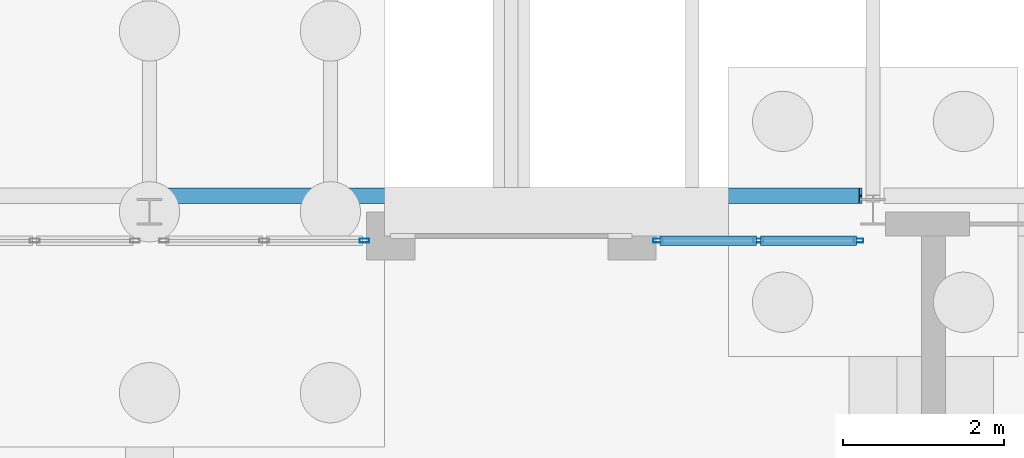
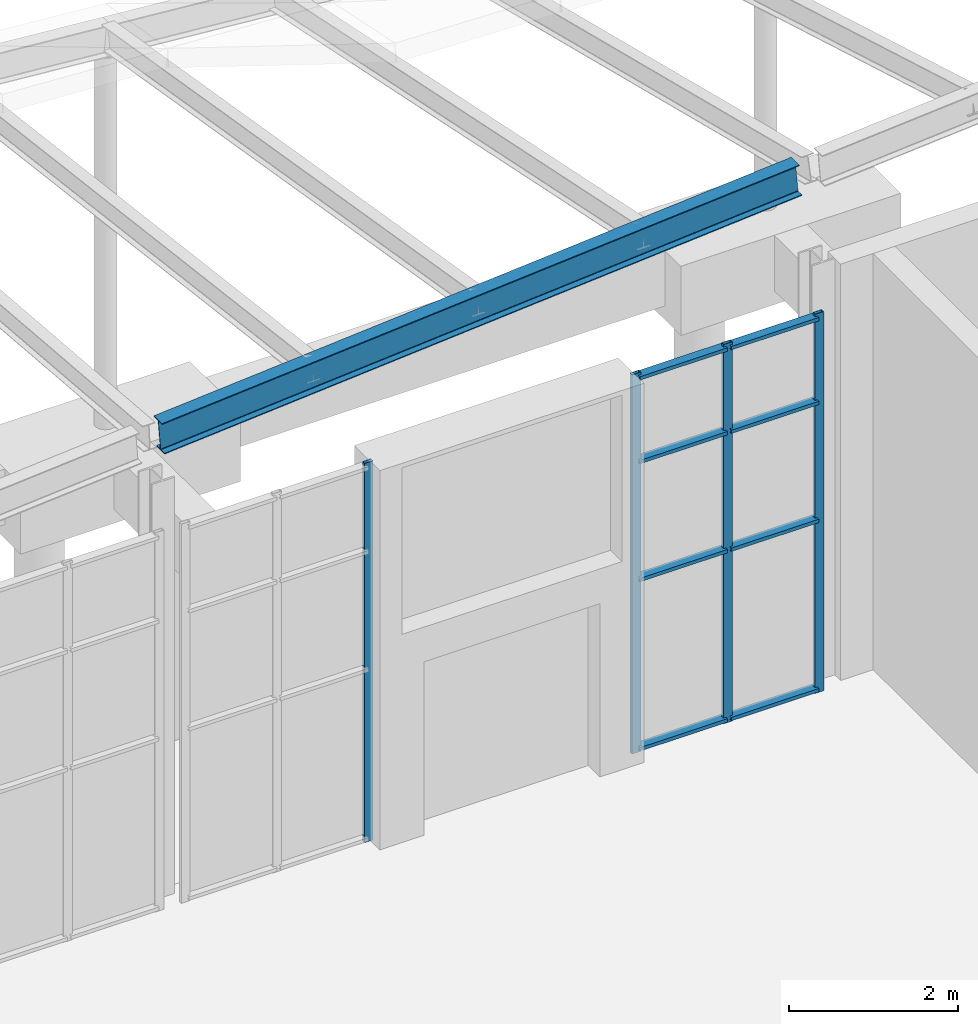
# One storey, part 76 of 139: 12 members, 1 beam, 2 elements without a shape of their own.
"""IFC4 building model written with IfcOpenShell, lengths in metres."""

from ifc_helpers import new_model, si_unit, direction, frame, origin, origin_2d, place, context, subcontext, project, spatial, hollow_rectangle, i_section, extrude, material, layer, layer_set, material_profile, profile_set, type_object, element, aggregate, save


model = new_model("IFC4")

# Units and contexts
model_context = context("Model", 3, precision=1e-05, world=origin(), true_north=direction((0.0, 1.0)))
body_context = subcontext(model_context, "Body", "Model", "MODEL_VIEW")
ifc_project = project(units=[si_unit("LENGTHUNIT", "METRE"), si_unit("AREAUNIT", "SQUARE_METRE"), si_unit("VOLUMEUNIT", "CUBIC_METRE"), si_unit("PLANEANGLEUNIT", "RADIAN"), si_unit("MASSUNIT", "GRAM", prefix="KILO")], contexts=[model_context])

# Site, building, storey
site_placement = place(None, origin())
site = spatial("IfcSite", under=ifc_project, at=site_placement, CompositionType="ELEMENT")
building_placement = place(site_placement, origin())
building = spatial("IfcBuilding", under=site, at=building_placement, Name="Shorebreak Coast Museum", CompositionType="ELEMENT")
storey_placement = place(building_placement, origin())
storey = spatial("IfcBuildingStorey", under=building, at=storey_placement, Name="L00", CompositionType="ELEMENT", Elevation=0.0)

# Beam
ifc_material_1 = material(Name="Steel Grade 300", Category="steel")
ifc_material_profile_1 = material_profile(ifc_material_1, i_section(OverallWidth=0.18994140625, OverallDepth=0.453857421875, WebThickness=0.008544921875, FlangeThickness=0.0126953125, FilletRadius=0.011474609375, at=origin_2d()), Name="460UB67.1")
ifc_profile_set_1 = profile_set([ifc_material_profile_1], Name="Steel Grade 300")
beam_type = type_object("IfcBeamType", Name="Canopy ring beam 460UB67.1", PredefinedType="BEAM", material=ifc_profile_set_1)
beam_placement = place(storey_placement, frame((90.155517578125, 117.199951171875, 6.38720703125), z_axis=(0.996904160448, 0.0, 0.078626298915), x_axis=(0.0, 1.0, 0.0)))
element("IfcBeam", 1, at=beam_placement, inside=storey, type_object=beam_type, Name="Canopy ring beam ENT-N building side 4", PredefinedType="BEAM", context=body_context, shape_type="SweptSolid", body=[
    extrude(i_section(OverallWidth=0.18994140625, OverallDepth=0.453857421875, WebThickness=0.008544921875, FlangeThickness=0.0126953125, FilletRadius=0.011474609375, at=origin_2d()), origin(), (0.0, 0.0, 1.0), 8.716064453125),
])

# Curtain wall, member
ifc_material_2 = material(Name="Aluminium", Category="aluminium")
ifc_layer = layer(ifc_material_2, 0.1201171875)
ifc_layer_set = layer_set([ifc_layer], Name="Aluminium")
curtain_wall_type = type_object("IfcCurtainWallType", Name="Entrance sidelight curtain wall", PredefinedType="NOTDEFINED", material=ifc_layer_set)
curtain_wall_1_placement = place(storey_placement, origin())
curtain_wall_1 = element("IfcCurtainWall", 2, at=curtain_wall_1_placement, inside=storey, type_object=curtain_wall_type, Name="Entrance glazing ENT-N 9", PredefinedType="NOTDEFINED")
ifc_material_3 = material(Name="Aluminium", Category="aluminium")
ifc_material_profile_2 = material_profile(ifc_material_3, hollow_rectangle(XDim=0.050048828125, YDim=0.1201171875, WallThickness=0.0029296875, at=origin_2d()), Name="AL 120x50 RHS")
ifc_profile_set_2 = profile_set([ifc_material_profile_2], Name="Aluminium")
member_type_1 = type_object("IfcMemberType", Name="Entrance mullion 50 x 120", PredefinedType="MULLION", material=ifc_profile_set_2)
member_1_placement = place(storey_placement, frame((92.675048828125, 116.6416015625, 0.0), z_axis=(0.0, 0.0, 1.0), x_axis=(0.0, 1.0, 0.0)))
member_1 = element("IfcMember", 3, at=member_1_placement, type_object=member_type_1, Name="CW2 mullion 3", PredefinedType="MULLION", context=body_context, shape_type="SweptSolid", body=[
    extrude(hollow_rectangle(XDim=0.050048828125, YDim=0.1201171875, WallThickness=0.0029296875, at=origin_2d()), origin(), (0.0, 0.0, 1.0), 5.46630859375),
])
aggregate(curtain_wall_1, [member_1])

# Curtain wall, members
curtain_wall_2_placement = place(storey_placement, origin())
curtain_wall_2 = element("IfcCurtainWall", 4, at=curtain_wall_2_placement, inside=storey, type_object=curtain_wall_type, Name="Entrance glazing ENT-N 10", PredefinedType="NOTDEFINED")
member_2_placement = place(storey_placement, frame((96.324951171875, 116.6416015625, 0.0), z_axis=(0.0, 0.0, 1.0), x_axis=(0.0, 1.0, 0.0)))
member_2 = element("IfcMember", 5, at=member_2_placement, type_object=member_type_1, Name="CW1 mullion 1", PredefinedType="MULLION", context=body_context, shape_type="SweptSolid", body=[
    extrude(hollow_rectangle(XDim=0.050048828125, YDim=0.1201171875, WallThickness=0.0029296875, at=origin_2d()), origin(), (0.0, 0.0, 1.0), 5.46630859375),
])
member_3_placement = place(storey_placement, frame((97.572265625, 116.6416015625, 0.0), z_axis=(0.0, 0.0, 1.0), x_axis=(0.0, 1.0, 0.0)))
member_3 = element("IfcMember", 6, at=member_3_placement, type_object=member_type_1, Name="CW1 mullion 2", PredefinedType="MULLION", context=body_context, shape_type="SweptSolid", body=[
    extrude(hollow_rectangle(XDim=0.050048828125, YDim=0.1201171875, WallThickness=0.0029296875, at=origin_2d()), origin(), (0.0, 0.0, 1.0), 5.46630859375),
])
member_4_placement = place(storey_placement, frame((98.819580078125, 116.6416015625, 0.0), z_axis=(0.0, 0.0, 1.0), x_axis=(0.0, 1.0, 0.0)))
member_4 = element("IfcMember", 7, at=member_4_placement, type_object=member_type_1, Name="CW1 mullion 3", PredefinedType="MULLION", context=body_context, shape_type="SweptSolid", body=[
    extrude(hollow_rectangle(XDim=0.050048828125, YDim=0.1201171875, WallThickness=0.0029296875, at=origin_2d()), origin(), (0.0, 0.0, 1.0), 5.46630859375),
])
ifc_material_4 = material(Name="Aluminium", Category="aluminium")
ifc_material_profile_3 = material_profile(ifc_material_4, hollow_rectangle(XDim=0.1201171875, YDim=0.050048828125, WallThickness=0.0029296875, at=origin_2d()), Name="AL 50x120 RHS")
ifc_profile_set_3 = profile_set([ifc_material_profile_3], Name="Aluminium")
member_type_2 = type_object("IfcMemberType", Name="Entrance transom 120 x 50", PredefinedType="USERDEFINED", material=ifc_profile_set_3)
member_5_placement = place(storey_placement, frame((96.35009765625, 116.6416015625, 0.06005859375), z_axis=(1.0, 0.0, 0.0), x_axis=(0.0, 1.0, 0.0)))
member_5 = element("IfcMember", 8, at=member_5_placement, type_object=member_type_2, Name="CW1 transom 1.1", ObjectType="TRANSOM", PredefinedType="USERDEFINED", context=body_context, shape_type="SweptSolid", body=[
    extrude(hollow_rectangle(XDim=0.1201171875, YDim=0.050048828125, WallThickness=0.0029296875, at=origin_2d()), origin(), (0.0, 0.0, 1.0), 1.197265625),
])
member_6_placement = place(storey_placement, frame((96.35009765625, 116.6416015625, 2.5), z_axis=(1.0, 0.0, 0.0), x_axis=(0.0, 1.0, 0.0)))
member_6 = element("IfcMember", 9, at=member_6_placement, type_object=member_type_2, Name="CW1 transom 1.2", ObjectType="TRANSOM", PredefinedType="USERDEFINED", context=body_context, shape_type="SweptSolid", body=[
    extrude(hollow_rectangle(XDim=0.1201171875, YDim=0.050048828125, WallThickness=0.0029296875, at=origin_2d()), origin(), (0.0, 0.0, 1.0), 1.197265625),
])
member_7_placement = place(storey_placement, frame((96.35009765625, 116.6416015625, 4.199951171875), z_axis=(1.0, 0.0, 0.0), x_axis=(0.0, 1.0, 0.0)))
member_7 = element("IfcMember", 10, at=member_7_placement, type_object=member_type_2, Name="CW1 transom 1.3", ObjectType="TRANSOM", PredefinedType="USERDEFINED", context=body_context, shape_type="SweptSolid", body=[
    extrude(hollow_rectangle(XDim=0.1201171875, YDim=0.050048828125, WallThickness=0.0029296875, at=origin_2d()), origin(), (0.0, 0.0, 1.0), 1.197265625),
])
member_8_placement = place(storey_placement, frame((96.35009765625, 116.6416015625, 5.406494140625), z_axis=(1.0, 0.0, 0.0), x_axis=(0.0, 1.0, 0.0)))
member_8 = element("IfcMember", 11, at=member_8_placement, type_object=member_type_2, Name="CW1 transom 1.4", ObjectType="TRANSOM", PredefinedType="USERDEFINED", context=body_context, shape_type="SweptSolid", body=[
    extrude(hollow_rectangle(XDim=0.1201171875, YDim=0.050048828125, WallThickness=0.0029296875, at=origin_2d()), origin(), (0.0, 0.0, 1.0), 1.197265625),
])
member_9_placement = place(storey_placement, frame((97.59716796875, 116.6416015625, 0.06005859375), z_axis=(1.0, 0.0, 0.0), x_axis=(0.0, 1.0, 0.0)))
member_9 = element("IfcMember", 12, at=member_9_placement, type_object=member_type_2, Name="CW1 transom 2.1", ObjectType="TRANSOM", PredefinedType="USERDEFINED", context=body_context, shape_type="SweptSolid", body=[
    extrude(hollow_rectangle(XDim=0.1201171875, YDim=0.050048828125, WallThickness=0.0029296875, at=origin_2d()), origin(), (0.0, 0.0, 1.0), 1.197265625),
])
member_10_placement = place(storey_placement, frame((97.59716796875, 116.6416015625, 2.5), z_axis=(1.0, 0.0, 0.0), x_axis=(0.0, 1.0, 0.0)))
member_10 = element("IfcMember", 13, at=member_10_placement, type_object=member_type_2, Name="CW1 transom 2.2", ObjectType="TRANSOM", PredefinedType="USERDEFINED", context=body_context, shape_type="SweptSolid", body=[
    extrude(hollow_rectangle(XDim=0.1201171875, YDim=0.050048828125, WallThickness=0.0029296875, at=origin_2d()), origin(), (0.0, 0.0, 1.0), 1.197265625),
])
member_11_placement = place(storey_placement, frame((97.59716796875, 116.6416015625, 4.199951171875), z_axis=(1.0, 0.0, 0.0), x_axis=(0.0, 1.0, 0.0)))
member_11 = element("IfcMember", 14, at=member_11_placement, type_object=member_type_2, Name="CW1 transom 2.3", ObjectType="TRANSOM", PredefinedType="USERDEFINED", context=body_context, shape_type="SweptSolid", body=[
    extrude(hollow_rectangle(XDim=0.1201171875, YDim=0.050048828125, WallThickness=0.0029296875, at=origin_2d()), origin(), (0.0, 0.0, 1.0), 1.197265625),
])
member_12_placement = place(storey_placement, frame((97.59716796875, 116.6416015625, 5.406494140625), z_axis=(1.0, 0.0, 0.0), x_axis=(0.0, 1.0, 0.0)))
member_12 = element("IfcMember", 15, at=member_12_placement, type_object=member_type_2, Name="CW1 transom 2.4", ObjectType="TRANSOM", PredefinedType="USERDEFINED", context=body_context, shape_type="SweptSolid", body=[
    extrude(hollow_rectangle(XDim=0.1201171875, YDim=0.050048828125, WallThickness=0.0029296875, at=origin_2d()), origin(), (0.0, 0.0, 1.0), 1.197265625),
])
aggregate(curtain_wall_2, [member_2, member_3, member_4, member_5, member_6, member_7, member_8, member_9, member_10, member_11, member_12])

save(model, "model.ifc")
